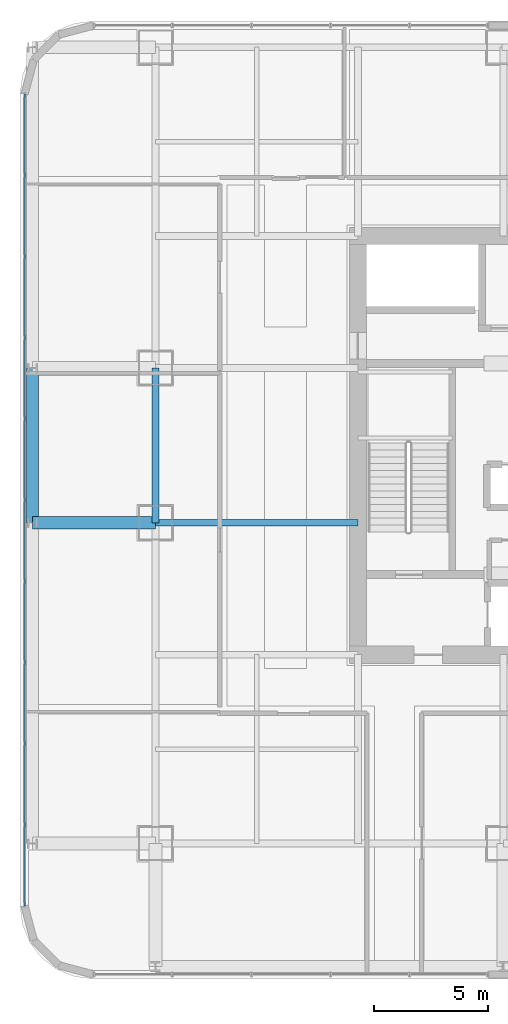
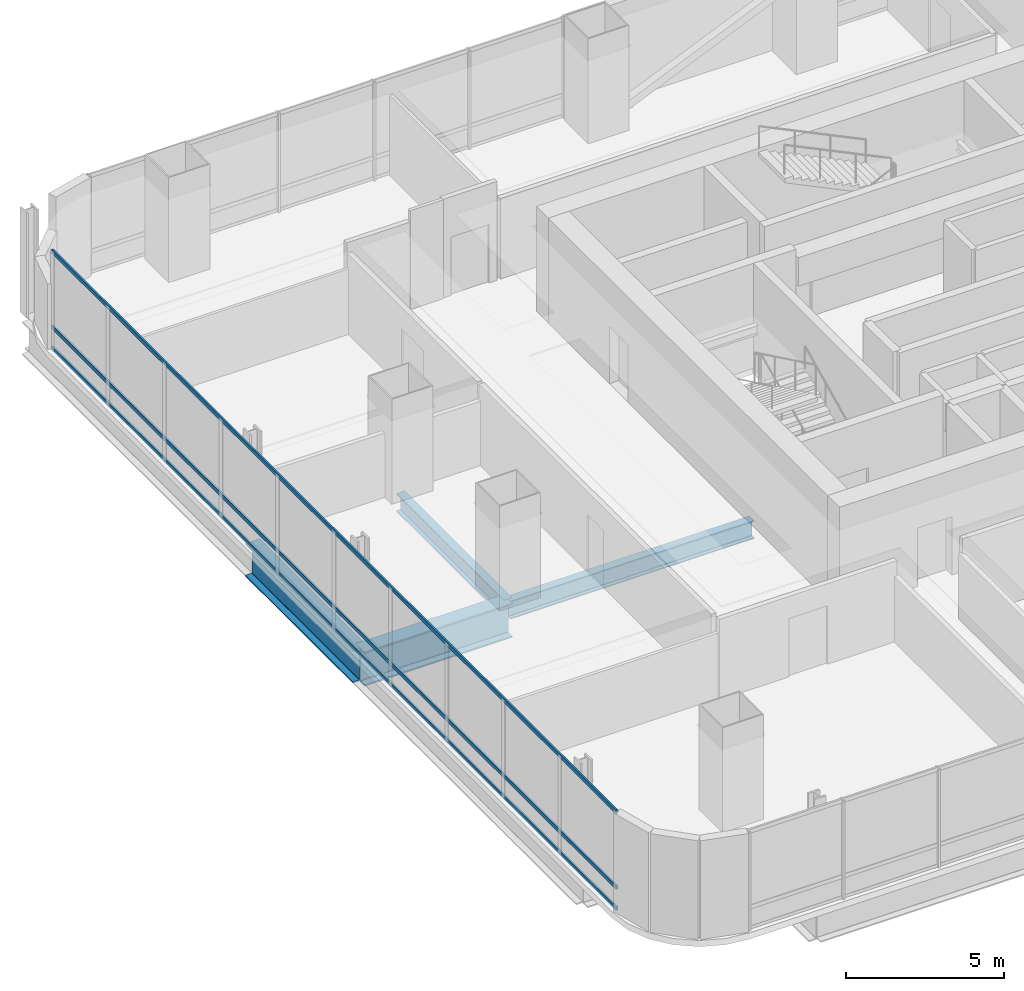
# One storey, part 9 of 37: 4 beams, 3 members, 1 element without a shape of its own.
"""IFC4 building model written with IfcOpenShell, lengths in metres."""

from ifc_helpers import new_model, si_unit, direction, frame, origin, origin_2d, place, context, subcontext, project, spatial, hollow_rectangle, i_section, extrude, material, material_profile, profile_set, type_object, element, aggregate, save


model = new_model("IFC4")

# Units and contexts
model_context = context("Model", 3, precision=1e-05, world=origin(), true_north=direction((0.0, 1.0)))
body_context = subcontext(model_context, "Body", "Model", "MODEL_VIEW")
ifc_project = project(units=[si_unit("LENGTHUNIT", "METRE"), si_unit("AREAUNIT", "SQUARE_METRE"), si_unit("VOLUMEUNIT", "CUBIC_METRE"), si_unit("PLANEANGLEUNIT", "RADIAN"), si_unit("MASSUNIT", "GRAM", prefix="KILO")], contexts=[model_context])

# Site, building, storey
site_placement = place(None, origin())
site = spatial("IfcSite", under=ifc_project, at=site_placement, CompositionType="ELEMENT")
building_placement = place(site_placement, origin())
building = spatial("IfcBuilding", under=site, at=building_placement, Name="Punatoya Terracotta Tower", CompositionType="ELEMENT")
storey_placement = place(building_placement, frame((0.0, 0.0, 44.39990234375)))
storey = spatial("IfcBuildingStorey", under=building, at=storey_placement, Name="L09", CompositionType="ELEMENT", Elevation=44.39990234375)

# Beams
ifc_material_1 = material(Name="Steel S355", Category="steel")
ifc_material_profile_1 = material_profile(ifc_material_1, i_section(OverallWidth=0.300048828125, OverallDepth=0.699951171875, WebThickness=0.01708984375, FlangeThickness=0.031982421875, FilletRadius=0.01806640625, at=origin_2d()))
ifc_profile_set_1 = profile_set([ifc_material_profile_1], Name="Steel S355")
beam_type_1 = type_object("IfcBeamType", Name="BM-PRI-700", PredefinedType="BEAM", material=ifc_profile_set_1)
beam_1_placement = place(storey_placement, frame((-19.10009765625, -3.39990234375, -0.58984375), z_axis=(0.0, 1.0, 0.0), x_axis=(-1.0, 0.0, 0.0)))
element("IfcBeam", 1, at=beam_1_placement, inside=storey, type_object=beam_type_1, Name="BM-L09-RG-W2", PredefinedType="BEAM", context=body_context, shape_type="SweptSolid", body=[
    extrude(i_section(OverallWidth=0.300048828125, OverallDepth=0.699951171875, WebThickness=0.01708984375, FlangeThickness=0.031982421875, FilletRadius=0.01806640625, at=origin_2d()), origin(), (0.0, 0.0, 1.0), 6.7998046875),
])
beam_2_placement = place(storey_placement, frame((-19.10009765625, -3.39990234375, -0.58984375), z_axis=(1.0, 0.0, 0.0), x_axis=(0.0, 1.0, 0.0)))
element("IfcBeam", 2, at=beam_2_placement, inside=storey, type_object=beam_type_1, Name="BM-L09-PR-WD", PredefinedType="BEAM", context=body_context, shape_type="SweptSolid", body=[
    extrude(i_section(OverallWidth=0.300048828125, OverallDepth=0.699951171875, WebThickness=0.01708984375, FlangeThickness=0.031982421875, FilletRadius=0.01806640625, at=origin_2d()), origin(), (0.0, 0.0, 1.0), 8.900146484375),
])
ifc_material_2 = material(Name="Steel S460", Category="steel")
ifc_material_profile_2 = material_profile(ifc_material_2, i_section(OverallWidth=0.56005859375, OverallDepth=1.320068359375, WebThickness=0.035888671875, FlangeThickness=0.054931640625, FilletRadius=0.01806640625, at=origin_2d()))
ifc_profile_set_2 = profile_set([ifc_material_profile_2], Name="Steel S460")
beam_type_2 = type_object("IfcBeamType", Name="BM-TG-BLK", PredefinedType="BEAM", material=ifc_profile_set_2)
beam_3_placement = place(storey_placement, frame((-24.5, -3.39990234375, -0.89990234375), z_axis=(1.0, 0.0, 0.0), x_axis=(0.0, 1.0, 0.0)))
element("IfcBeam", 3, at=beam_3_placement, inside=storey, type_object=beam_type_2, Name="BM-L09-CANT-W2", PredefinedType="BEAM", context=body_context, shape_type="SweptSolid", body=[
    extrude(i_section(OverallWidth=0.56005859375, OverallDepth=1.320068359375, WebThickness=0.035888671875, FlangeThickness=0.054931640625, FilletRadius=0.01806640625, at=origin_2d()), origin(), (0.0, 0.0, 1.0), 5.39990234375),
])
ifc_material_profile_3 = material_profile(ifc_material_2, i_section(OverallWidth=0.52001953125, OverallDepth=1.280029296875, WebThickness=0.031982421875, FlangeThickness=0.050048828125, FilletRadius=0.01806640625, at=origin_2d()))
ifc_profile_set_3 = profile_set([ifc_material_profile_3], Name="Steel S460")
beam_type_3 = type_object("IfcBeamType", Name="BM-TG-NCK", PredefinedType="BEAM", material=ifc_profile_set_3)
beam_4_placement = place(storey_placement, frame((-24.5, -3.39990234375, -0.8798828125), z_axis=(0.0, 1.0, 0.0), x_axis=(-1.0, 0.0, 0.0)))
element("IfcBeam", 4, at=beam_4_placement, inside=storey, type_object=beam_type_3, Name="BM-L09-PER-W2", PredefinedType="BEAM", context=body_context, shape_type="SweptSolid", body=[
    extrude(i_section(OverallWidth=0.52001953125, OverallDepth=1.280029296875, WebThickness=0.031982421875, FlangeThickness=0.050048828125, FilletRadius=0.01806640625, at=origin_2d()), origin(), (0.0, 0.0, 1.0), 6.7998046875),
])

# Curtain wall, members
ifc_material_3 = material(Name="Aluminium 6063-T6 + Double Low-E Glass", Category="aluminium")
curtain_wall_type = type_object("IfcCurtainWallType", Name="CW-M1", PredefinedType="NOTDEFINED", material=ifc_material_3)
curtain_wall_placement = place(storey_placement, origin())
curtain_wall = element("IfcCurtainWall", 5, at=curtain_wall_placement, inside=storey, type_object=curtain_wall_type, Name="L09 Curtain Wall CW-L09-W13-1", PredefinedType="NOTDEFINED")
ifc_material_4 = material(Name="Aluminium 6063-T6", Category="aluminium")
ifc_material_profile_4 = material_profile(ifc_material_4, hollow_rectangle(XDim=0.068115234375, YDim=0.14990234375, WallThickness=0.00390625, at=origin_2d()))
ifc_profile_set_4 = profile_set([ifc_material_profile_4], Name="Aluminium 6063-T6")
member_type = type_object("IfcMemberType", Name="CW-TRN-TYP", PredefinedType="USERDEFINED", material=ifc_profile_set_4)
member_1_placement = place(storey_placement, frame((-24.85009765625, 15.43701171875, 0.0400390625), z_axis=(0.0, -1.0, 0.0), x_axis=(1.0, 0.0, 0.0)))
member_1 = element("IfcMember", 6, at=member_1_placement, type_object=member_type, Name="CW-L09-W13-1 Transom 1", ObjectType="TRANSOM", PredefinedType="USERDEFINED", context=body_context, shape_type="SweptSolid", body=[
    extrude(hollow_rectangle(XDim=0.068115234375, YDim=0.14990234375, WallThickness=0.00390625, at=origin_2d()), origin(), (0.0, 0.0, 1.0), 35.673828125),
])
member_2_placement = place(storey_placement, frame((-24.85009765625, 15.43701171875, 0.85009765625), z_axis=(0.0, -1.0, 0.0), x_axis=(1.0, 0.0, 0.0)))
member_2 = element("IfcMember", 7, at=member_2_placement, type_object=member_type, Name="CW-L09-W13-1 Transom 2", ObjectType="TRANSOM", PredefinedType="USERDEFINED", context=body_context, shape_type="SweptSolid", body=[
    extrude(hollow_rectangle(XDim=0.068115234375, YDim=0.14990234375, WallThickness=0.00390625, at=origin_2d()), origin(), (0.0, 0.0, 1.0), 35.673828125),
])
member_3_placement = place(storey_placement, frame((-24.85009765625, 15.43701171875, 3.77001953125), z_axis=(0.0, -1.0, 0.0), x_axis=(1.0, 0.0, 0.0)))
member_3 = element("IfcMember", 8, at=member_3_placement, type_object=member_type, Name="CW-L09-W13-1 Transom 3", ObjectType="TRANSOM", PredefinedType="USERDEFINED", context=body_context, shape_type="SweptSolid", body=[
    extrude(hollow_rectangle(XDim=0.068115234375, YDim=0.14990234375, WallThickness=0.00390625, at=origin_2d()), origin(), (0.0, 0.0, 1.0), 35.673828125),
])
aggregate(curtain_wall, [member_1, member_2, member_3])

save(model, "model.ifc")
